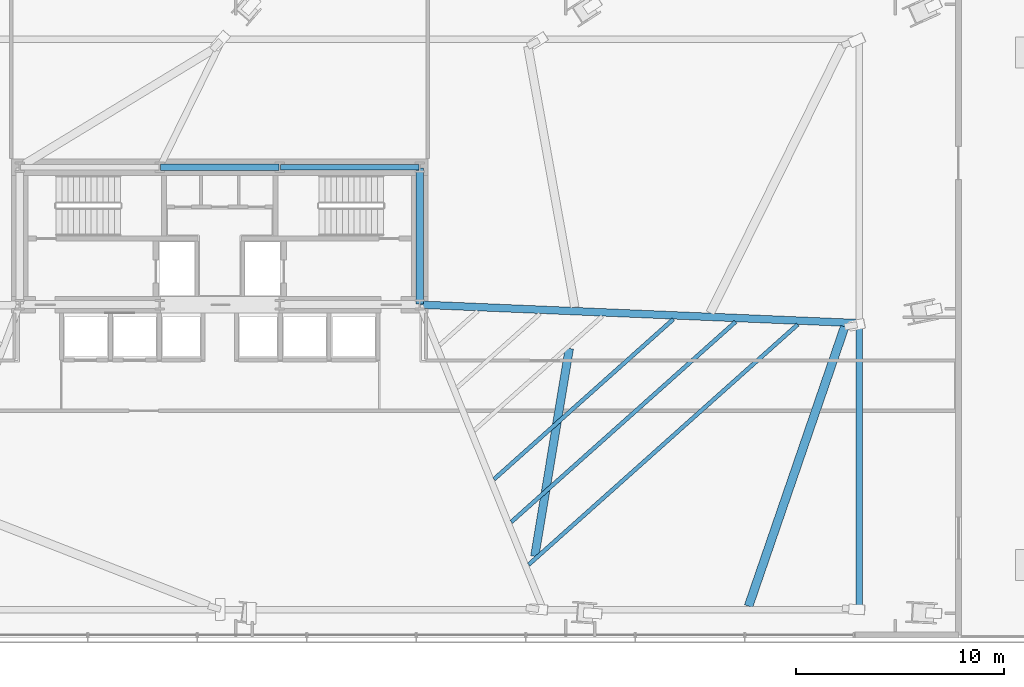
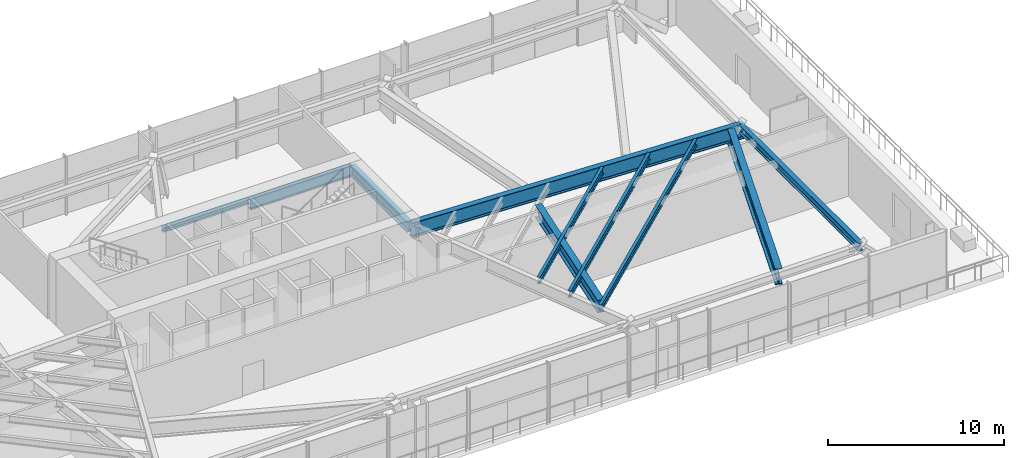
# One storey, part 16 of 30: 10 beams.
"""IFC4 building model written with IfcOpenShell, lengths in metres."""

from ifc_helpers import new_model, si_unit, direction, frame, origin, origin_2d, place, context, subcontext, project, spatial, i_section, extrude, source, transform, mapped, material, material_profile, profile_set, type_object, type_shapes, element, save


model = new_model("IFC4")

# Units and contexts
model_context = context("Model", 3, precision=1e-05, world=origin(), true_north=direction((0.0, 1.0)))
body_context = subcontext(model_context, "Body", "Model", "MODEL_VIEW")
ifc_project = project(units=[si_unit("LENGTHUNIT", "METRE"), si_unit("AREAUNIT", "SQUARE_METRE"), si_unit("VOLUMEUNIT", "CUBIC_METRE"), si_unit("PLANEANGLEUNIT", "RADIAN"), si_unit("MASSUNIT", "GRAM", prefix="KILO")], contexts=[model_context])

# Site, building, storey
site_placement = place(None, origin())
site = spatial("IfcSite", under=ifc_project, at=site_placement, CompositionType="ELEMENT")
building_placement = place(site_placement, origin())
building = spatial("IfcBuilding", under=site, at=building_placement, Name="Astriad Promenade Condominiums", CompositionType="ELEMENT")
storey_placement = place(building_placement, frame((0.0, 0.0, 14.0)))
storey = spatial("IfcBuildingStorey", under=building, at=storey_placement, Name="L03", CompositionType="ELEMENT", Elevation=14.0)

# Beams
ifc_material = material(Name="Steel ASTM A992 Grade 50", Category="steel")
ifc_material_profile_1 = material_profile(ifc_material, i_section(OverallWidth=0.267822265625, OverallDepth=0.76953125, WebThickness=0.015625, FlangeThickness=0.025390625, FilletRadius=0.021484375, at=origin_2d()), Name="W30X132")
ifc_profile_set_1 = profile_set([ifc_material_profile_1], Name="Steel ASTM A992 Grade 50")
beam_type_1 = type_object("IfcBeamType", Name="STEEL FLOOR GIRDER W30X132", PredefinedType="BEAM", material=ifc_profile_set_1)
shared_shape_1 = source(origin(), body_context, "Body", "SweptSolid", [
    extrude(i_section(OverallWidth=0.267822265625, OverallDepth=0.76953125, WebThickness=0.015625, FlangeThickness=0.025390625, FilletRadius=0.021484375, at=origin_2d()), origin(), (0.0, 0.0, 1.0), 6.64013671875),
])
type_shapes(beam_type_1, [shared_shape_1])
beam_1_placement = place(storey_placement, frame((38.919921875, 24.0, 3.6953125), z_axis=(1.0, 0.0, 0.0), x_axis=(0.0, 1.0, 0.0)))
element("IfcBeam", 1, at=beam_1_placement, inside=storey, type_object=beam_type_1, Name="Core Ring Beam CG-N3-L03", PredefinedType="BEAM", context=body_context, shape_type="MappedRepresentation", body=[
    mapped(shared_shape_1, transform((0.0, 0.0, 0.0), scale=1.0)),
])
ifc_material_profile_2 = material_profile(ifc_material, i_section(OverallWidth=0.3046875, OverallDepth=0.307861328125, WebThickness=0.010009765625, FlangeThickness=0.015380859375, FilletRadius=0.01513671875, at=origin_2d()), Name="W12X65")
ifc_profile_set_2 = profile_set([ifc_material_profile_2], Name="Steel ASTM A992 Grade 50")
beam_type_2 = type_object("IfcBeamType", Name="STEEL OPENING LINTEL W12X65", PredefinedType="LINTEL", material=ifc_profile_set_2)
shared_shape_2 = source(origin(), body_context, "Body", "SweptSolid", [
    extrude(i_section(OverallWidth=0.3046875, OverallDepth=0.307861328125, WebThickness=0.010009765625, FlangeThickness=0.015380859375, FilletRadius=0.01513671875, at=origin_2d()), origin(), (0.0, 0.0, 1.0), 5.68017578125),
])
type_shapes(beam_type_2, [shared_shape_2])
beam_2_placement = place(storey_placement, frame((33.159912109375, 24.0, 3.926025390625), z_axis=(1.0, 0.0, 0.0), x_axis=(0.0, 1.0, 0.0)))
element("IfcBeam", 2, at=beam_2_placement, inside=storey, type_object=beam_type_2, Name="Core Ring Beam CG-N2-L03", PredefinedType="LINTEL", context=body_context, shape_type="MappedRepresentation", body=[
    mapped(shared_shape_2, transform((0.0, 0.0, 0.0), scale=1.0)),
])
ifc_material_profile_3 = material_profile(ifc_material, i_section(OverallWidth=0.35791015625, OverallDepth=0.706298828125, WebThickness=0.018310546875, FlangeThickness=0.0302734375, FilletRadius=0.020263671875, at=origin_2d()), Name="W27X178")
ifc_profile_set_3 = profile_set([ifc_material_profile_3], Name="Steel ASTM A992 Grade 50")
beam_type_3 = type_object("IfcBeamType", Name="STEEL FLOOR GIRDER W27X178", PredefinedType="BEAM", material=ifc_profile_set_3)
shared_shape_3 = source(origin(), body_context, "Body", "SweptSolid", [
    extrude(i_section(OverallWidth=0.35791015625, OverallDepth=0.706298828125, WebThickness=0.018310546875, FlangeThickness=0.0302734375, FilletRadius=0.020263671875, at=origin_2d()), origin(), (0.0, 0.0, 1.0), 6.52001953125),
])
type_shapes(beam_type_3, [shared_shape_3])
beam_3_placement = place(storey_placement, frame((45.60009765625, 17.43994140625, 3.726806640625), z_axis=(0.0, 1.0, 0.0), x_axis=(-1.0, 0.0, 0.0)))
element("IfcBeam", 3, at=beam_3_placement, inside=storey, type_object=beam_type_3, Name="Core Ring Beam CG-E1-L03", PredefinedType="BEAM", context=body_context, shape_type="MappedRepresentation", body=[
    mapped(shared_shape_3, transform((0.0, 0.0, 0.0), scale=1.0)),
])
ifc_material_profile_4 = material_profile(ifc_material, i_section(OverallWidth=0.3134765625, OverallDepth=0.54638671875, WebThickness=0.013916015625, FlangeThickness=0.022216796875, FilletRadius=0.0166015625, at=origin_2d()), Name="W21X111")
ifc_profile_set_4 = profile_set([ifc_material_profile_4], Name="Steel ASTM A992 Grade 50")
beam_type_4 = type_object("IfcBeamType", Name="STEEL SPANDREL BEAM W21X111", PredefinedType="SPANDREL", material=ifc_profile_set_4)
shared_shape_4 = source(origin(), body_context, "Body", "SweptSolid", [
    extrude(i_section(OverallWidth=0.3134765625, OverallDepth=0.54638671875, WebThickness=0.013916015625, FlangeThickness=0.022216796875, FilletRadius=0.0166015625, at=origin_2d()), origin(), (0.0, 0.0, 1.0), 13.60693359375),
])
type_shapes(beam_type_4, [shared_shape_4])
beam_4_placement = place(storey_placement, frame((66.68798828125, 2.806640625, 3.806884765625), z_axis=(-1.7942369e-05, 0.999999999839, 0.0), x_axis=(-0.999999999839, -1.7942369e-05, 0.0)))
element("IfcBeam", 4, at=beam_4_placement, inside=storey, type_object=beam_type_4, Name="Perimeter Spandrel Beam SP-E1-L03", PredefinedType="SPANDREL", context=body_context, shape_type="MappedRepresentation", body=[
    mapped(shared_shape_4, transform((0.0, 0.0, 0.0), scale=1.0)),
])
ifc_material_profile_5 = material_profile(ifc_material, i_section(OverallWidth=0.361083984375, OverallDepth=1.025634765625, WebThickness=0.01904296875, FlangeThickness=0.0361328125, FilletRadius=0.025390625, at=origin_2d()), Name="W40X249")
ifc_profile_set_5 = profile_set([ifc_material_profile_5], Name="Steel ASTM A992 Grade 50")
beam_type_5 = type_object("IfcBeamType", Name="STEEL PODIUM GIRDER W40X249", PredefinedType="BEAM", material=ifc_profile_set_5)
shared_shape_5 = source(origin(), body_context, "Body", "SweptSolid", [
    extrude(i_section(OverallWidth=0.361083984375, OverallDepth=1.025634765625, WebThickness=0.01904296875, FlangeThickness=0.0361328125, FilletRadius=0.025390625, at=origin_2d()), origin(), (0.0, 0.0, 1.0), 21.26171875),
])
type_shapes(beam_type_5, [shared_shape_5])
beam_5_placement = place(storey_placement, frame((66.8828125, 16.502197265625, 3.567138671875), z_axis=(-0.999111669002, 0.042141106587, 0.0), x_axis=(-0.042141106587, -0.999111669002, 0.0)))
element("IfcBeam", 5, at=beam_5_placement, inside=storey, type_object=beam_type_5, Name="Primary Floor Girder PG-EM-L03", PredefinedType="BEAM", context=body_context, shape_type="MappedRepresentation", body=[
    mapped(shared_shape_5, transform((0.0, 0.0, 0.0), scale=1.0)),
])
ifc_material_profile_6 = material_profile(ifc_material, i_section(OverallWidth=0.19287109375, OverallDepth=0.466064453125, WebThickness=0.011474609375, FlangeThickness=0.01904296875, FilletRadius=0.01513671875, at=origin_2d()), Name="W18X65")
ifc_profile_set_6 = profile_set([ifc_material_profile_6], Name="Steel ASTM A992 Grade 50")
beam_type_6 = type_object("IfcBeamType", Name="STEEL FLOOR JOIST W18X65", PredefinedType="JOIST", material=ifc_profile_set_6)
shared_shape_6 = source(origin(), body_context, "Body", "SweptSolid", [
    extrude(i_section(OverallWidth=0.19287109375, OverallDepth=0.466064453125, WebThickness=0.011474609375, FlangeThickness=0.01904296875, FilletRadius=0.01513671875, at=origin_2d()), origin(), (0.0, 0.0, 1.0), 17.306640625),
])
beam_6_placement = place(storey_placement, frame((50.8251953125, 4.9228515625, 3.846923828125), z_axis=(0.746047281355, 0.665892974872, 0.0), x_axis=(-0.665892974872, 0.746047281355, 0.0)))
element("IfcBeam", 6, at=beam_6_placement, inside=storey, type_object=beam_type_6, Name="Secondary Composite Floor Joist JE1-1-L03", PredefinedType="JOIST", context=body_context, shape_type="MappedRepresentation", body=[
    mapped(shared_shape_6, transform((0.0, 0.0, 0.0), scale=1.0)),
])
shared_shape_7 = source(origin(), body_context, "Body", "SweptSolid", [
    extrude(i_section(OverallWidth=0.19287109375, OverallDepth=0.466064453125, WebThickness=0.011474609375, FlangeThickness=0.01904296875, FilletRadius=0.01513671875, at=origin_2d()), origin(), (0.0, 0.0, 1.0), 14.41748046875),
])
beam_7_placement = place(storey_placement, frame((49.99560546875, 6.972900390625, 3.846923828125), z_axis=(0.746052124972, 0.665887548183, 0.0), x_axis=(-0.665887548183, 0.746052124972, 0.0)))
element("IfcBeam", 7, at=beam_7_placement, inside=storey, type_object=beam_type_6, Name="Secondary Composite Floor Joist JE1-2-L03", PredefinedType="JOIST", context=body_context, shape_type="MappedRepresentation", body=[
    mapped(shared_shape_7, transform((0.0, 0.0, 0.0), scale=1.0)),
])
shared_shape_8 = source(origin(), body_context, "Body", "SweptSolid", [
    extrude(i_section(OverallWidth=0.19287109375, OverallDepth=0.466064453125, WebThickness=0.011474609375, FlangeThickness=0.01904296875, FilletRadius=0.01513671875, at=origin_2d()), origin(), (0.0, 0.0, 1.0), 11.528076171875),
])
type_shapes(beam_type_6, [shared_shape_6, shared_shape_7, shared_shape_8])
beam_8_placement = place(storey_placement, frame((49.166015625, 9.022705078125, 3.846923828125), z_axis=(0.746039484951, 0.665901709635, 0.0), x_axis=(-0.665901709635, 0.746039484951, 0.0)))
element("IfcBeam", 8, at=beam_8_placement, inside=storey, type_object=beam_type_6, Name="Secondary Composite Floor Joist JE1-3-L03", PredefinedType="JOIST", context=body_context, shape_type="MappedRepresentation", body=[
    mapped(shared_shape_8, transform((0.0, 0.0, 0.0), scale=1.0)),
])
ifc_material_profile_7 = material_profile(ifc_material, i_section(OverallWidth=0.4013671875, OverallDepth=0.877197265625, WebThickness=0.022216796875, FlangeThickness=0.039794921875, FilletRadius=0.02294921875, at=origin_2d()), Name="W33X263")
ifc_profile_set_7 = profile_set([ifc_material_profile_7], Name="Steel ASTM A992 Grade 50")
beam_type_7 = type_object("IfcBeamType", Name="STEEL TRANSFER CARRIER GIRDER W33X263", PredefinedType="BEAM", material=ifc_profile_set_7)
shared_shape_9 = source(origin(), body_context, "Body", "SweptSolid", [
    extrude(i_section(OverallWidth=0.4013671875, OverallDepth=0.877197265625, WebThickness=0.022216796875, FlangeThickness=0.039794921875, FilletRadius=0.02294921875, at=origin_2d()), origin(), (0.0, 0.0, 1.0), 10.11474609375),
])
type_shapes(beam_type_7, [shared_shape_9])
beam_9_placement = place(storey_placement, frame((52.777587890625, 15.297607421875, 3.641357421875), z_axis=(-0.164230675673, -0.986421961013, 0.0), x_axis=(0.986421961013, -0.164230675673, 0.0)))
element("IfcBeam", 9, at=beam_9_placement, inside=storey, type_object=beam_type_7, Name="Transfer Splice Carrier TRM-SP-PC04-L03", PredefinedType="BEAM", context=body_context, shape_type="MappedRepresentation", body=[
    mapped(shared_shape_9, transform((0.0, 0.0, 0.0), scale=1.0)),
])
ifc_material_profile_8 = material_profile(ifc_material, i_section(OverallWidth=0.4169921875, OverallDepth=1.093505859375, WebThickness=0.0390625, FlangeThickness=0.070068359375, FilletRadius=0.025390625, at=origin_2d()), Name="W40X503")
ifc_profile_set_8 = profile_set([ifc_material_profile_8], Name="Steel ASTM A992 Grade 50")
beam_type_8 = type_object("IfcBeamType", Name="STEEL TRANSFER GIRDER W40X503", PredefinedType="BEAM", material=ifc_profile_set_8)
shared_shape_10 = source(origin(), body_context, "Body", "SweptSolid", [
    extrude(i_section(OverallWidth=0.4169921875, OverallDepth=1.093505859375, WebThickness=0.0390625, FlangeThickness=0.070068359375, FilletRadius=0.025390625, at=origin_2d()), origin(), (0.0, 0.0, 1.0), 14.17138671875),
])
type_shapes(beam_type_8, [shared_shape_10])
beam_10_placement = place(storey_placement, frame((61.380859375, 2.932861328125, 3.533203125), z_axis=(0.325242501894, 0.945630644047, 0.0), x_axis=(-0.945630644047, 0.325242501894, 0.0)))
element("IfcBeam", 10, at=beam_10_placement, inside=storey, type_object=beam_type_8, Name="Transfer Splice Carrier TRM-SP-PC12-L03", PredefinedType="BEAM", context=body_context, shape_type="MappedRepresentation", body=[
    mapped(shared_shape_10, transform((0.0, 0.0, 0.0), scale=1.0)),
])

save(model, "model.ifc")
